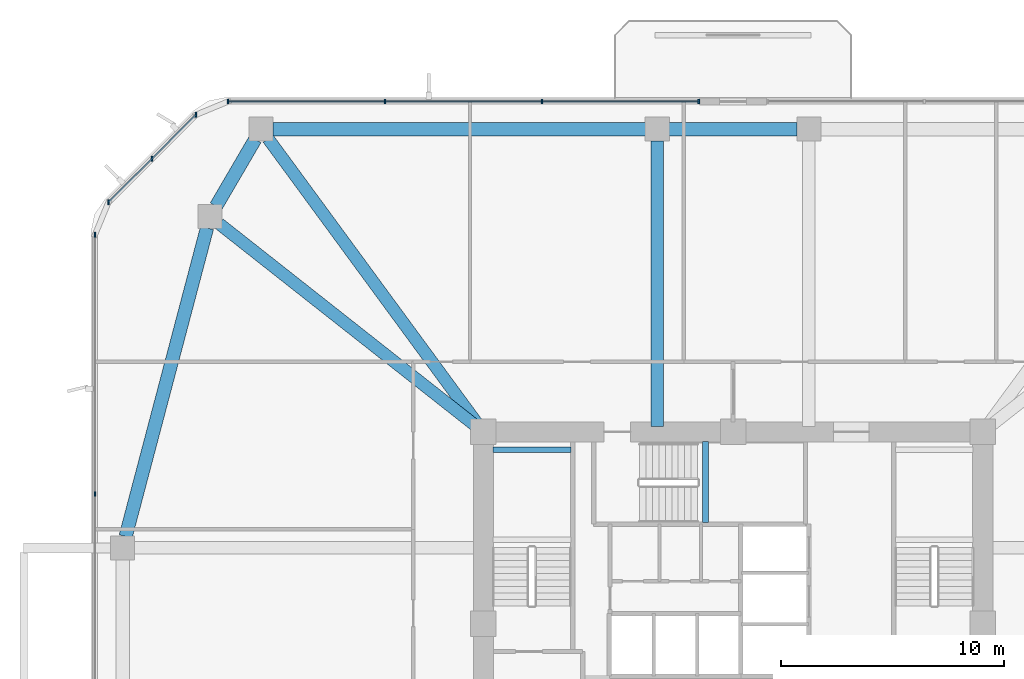
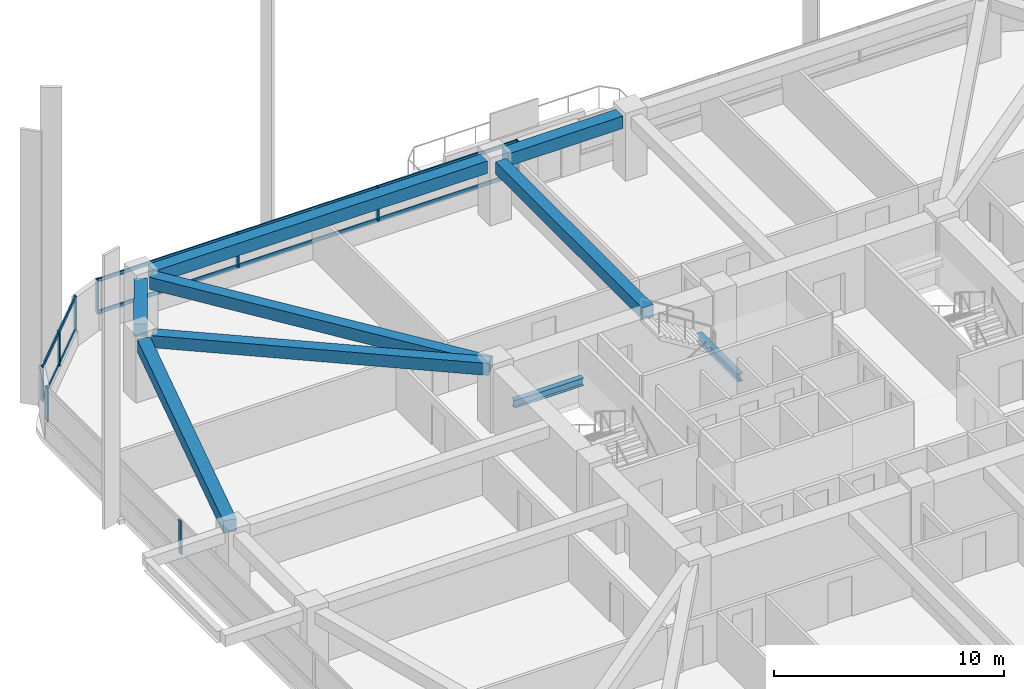
# One storey, part 6 of 17: 13 members, 9 beams, 3 elements without a shape of their own.
"""IFC4 building model written with IfcOpenShell, lengths in metres."""

from ifc_helpers import new_model, si_unit, derived_unit, direction, frame, origin, origin_2d, place, context, subcontext, project, spatial, rectangle, i_section, extrude, material, material_profile, profile_set, type_object, element, aggregate, save


model = new_model("IFC4")

# Units and contexts
model_context = context("Model", 3, precision=1e-05, world=origin(), true_north=direction((0.0, 1.0)))
body_context = subcontext(model_context, "Body", "Model", "MODEL_VIEW")
ifc_project = project(units=[si_unit("LENGTHUNIT", "METRE"), si_unit("AREAUNIT", "SQUARE_METRE"), si_unit("VOLUMEUNIT", "CUBIC_METRE"), si_unit("PLANEANGLEUNIT", "RADIAN"), si_unit("MASSUNIT", "GRAM", prefix="KILO"), derived_unit("THERMALTRANSMITTANCEUNIT", [(si_unit("POWERUNIT", "WATT"), 1), (si_unit("LENGTHUNIT", "METRE"), -2), (si_unit("THERMODYNAMICTEMPERATUREUNIT", "KELVIN"), -1)])], contexts=[model_context])

# Site, building, storey
site_placement = place(None, origin())
site = spatial("IfcSite", under=ifc_project, at=site_placement, CompositionType="ELEMENT")
building_placement = place(site_placement, origin())
building = spatial("IfcBuilding", under=site, at=building_placement, Name="Koralith Skygarden Medical Center", CompositionType="ELEMENT")
storey_placement = place(building_placement, frame((0.0, 0.0, 23.93994140625)))
storey = spatial("IfcBuildingStorey", under=building, at=storey_placement, Name="L05", CompositionType="ELEMENT", Elevation=23.93994140625)

# Curtain wall, members
ifc_material_1 = material(Name="Clear Laminated Glass", Category="glass")
curtain_wall_type = type_object("IfcCurtainWallType", Name="CW-2 Zone 1 Hurricane Unitised Curtain Wall", PredefinedType="NOTDEFINED", material=ifc_material_1)
curtain_wall_1_placement = place(storey_placement, origin())
curtain_wall_1 = element("IfcCurtainWall", 1, at=curtain_wall_1_placement, inside=storey, type_object=curtain_wall_type, Name="Curtain Wall CW-L05-N-R", PredefinedType="NOTDEFINED")
ifc_material_2 = material(Name="Aluminium 6063-T6", Category="aluminium")
ifc_material_profile_1 = material_profile(ifc_material_2, rectangle(XDim=0.071044921875, YDim=0.219970703125, at=origin_2d()), Name="MUL71X220")
ifc_profile_set_1 = profile_set([ifc_material_profile_1], Name="Aluminium 6063-T6")
member_type_1 = type_object("IfcMemberType", Name="CW-2 Extruded Mullion 71x220", PredefinedType="MULLION", material=ifc_profile_set_1)
member_1_placement = place(storey_placement, frame((35.4599609375, 49.320068359375, 0.85009765625), z_axis=(0.0, 0.0, 1.0), x_axis=(1.0, 0.0, 0.0)))
member_1 = element("IfcMember", 2, at=member_1_placement, type_object=member_type_1, Name="CW-L05-N-R Mullion 1", PredefinedType="MULLION", context=body_context, shape_type="SweptSolid", body=[
    extrude(rectangle(XDim=0.071044921875, YDim=0.219970703125, at=origin_2d()), origin(), (0.0, 0.0, 1.0), 1.800048828125),
])
member_2_placement = place(storey_placement, frame((28.425048828125, 49.320068359375, 0.85009765625), z_axis=(0.0, 0.0, 1.0), x_axis=(1.0, 0.0, 0.0)))
member_2 = element("IfcMember", 3, at=member_2_placement, type_object=member_type_1, Name="CW-L05-N-R Mullion 2", PredefinedType="MULLION", context=body_context, shape_type="SweptSolid", body=[
    extrude(rectangle(XDim=0.071044921875, YDim=0.219970703125, at=origin_2d()), origin(), (0.0, 0.0, 1.0), 1.800048828125),
])
member_3_placement = place(storey_placement, frame((21.389892578125, 49.320068359375, 0.85009765625), z_axis=(0.0, 0.0, 1.0), x_axis=(1.0, 0.0, 0.0)))
member_3 = element("IfcMember", 4, at=member_3_placement, type_object=member_type_1, Name="CW-L05-N-R Mullion 3", PredefinedType="MULLION", context=body_context, shape_type="SweptSolid", body=[
    extrude(rectangle(XDim=0.071044921875, YDim=0.219970703125, at=origin_2d()), origin(), (0.0, 0.0, 1.0), 1.800048828125),
])
member_4_placement = place(storey_placement, frame((14.35498046875, 49.320068359375, 0.85009765625), z_axis=(0.0, 0.0, 1.0), x_axis=(1.0, 0.0, 0.0)))
member_4 = element("IfcMember", 5, at=member_4_placement, type_object=member_type_1, Name="CW-L05-N-R Mullion 4", PredefinedType="MULLION", context=body_context, shape_type="SweptSolid", body=[
    extrude(rectangle(XDim=0.071044921875, YDim=0.219970703125, at=origin_2d()), origin(), (0.0, 0.0, 1.0), 1.800048828125),
])

curtain_wall_2_placement = place(storey_placement, origin())
curtain_wall_2 = element("IfcCurtainWall", 6, at=curtain_wall_2_placement, inside=storey, type_object=curtain_wall_type, Name="Curtain Wall CW-L05-NW", PredefinedType="NOTDEFINED")
member_5_placement = place(storey_placement, frame((12.904052734375, 48.718994140625, 0.85009765625), z_axis=(0.0, 0.0, 1.0), x_axis=(1.0, 0.0, 0.0)))
member_5 = element("IfcMember", 7, at=member_5_placement, type_object=member_type_1, Name="CW-L05-NW Mullion 1", PredefinedType="MULLION", context=body_context, shape_type="SweptSolid", body=[
    extrude(rectangle(XDim=0.071044921875, YDim=0.219970703125, at=origin_2d()), origin(), (0.0, 0.0, 1.0), 1.800048828125),
])
member_6_placement = place(storey_placement, frame((10.94189453125, 46.758056640625, 0.85009765625), z_axis=(0.0, 0.0, 1.0), x_axis=(1.0, 0.0, 0.0)))
member_6 = element("IfcMember", 8, at=member_6_placement, type_object=member_type_1, Name="CW-L05-NW Mullion 2", PredefinedType="MULLION", context=body_context, shape_type="SweptSolid", body=[
    extrude(rectangle(XDim=0.071044921875, YDim=0.219970703125, at=origin_2d()), origin(), (0.0, 0.0, 1.0), 1.800048828125),
])
member_7_placement = place(storey_placement, frame((8.98095703125, 44.7958984375, 0.85009765625), z_axis=(0.0, 0.0, 1.0), x_axis=(1.0, 0.0, 0.0)))
member_7 = element("IfcMember", 9, at=member_7_placement, type_object=member_type_1, Name="CW-L05-NW Mullion 3", PredefinedType="MULLION", context=body_context, shape_type="SweptSolid", body=[
    extrude(rectangle(XDim=0.071044921875, YDim=0.219970703125, at=origin_2d()), origin(), (0.0, 0.0, 1.0), 1.800048828125),
])

curtain_wall_3_placement = place(storey_placement, origin())
curtain_wall_3 = element("IfcCurtainWall", 10, at=curtain_wall_3_placement, inside=storey, type_object=curtain_wall_type, Name="Curtain Wall CW-L05-W", PredefinedType="NOTDEFINED")
member_8_placement = place(storey_placement, frame((8.3798828125, 43.344970703125, 0.85009765625), z_axis=(0.0, 0.0, 1.0), x_axis=(1.0, 0.0, 0.0)))
member_8 = element("IfcMember", 11, at=member_8_placement, type_object=member_type_1, Name="CW-L05-W Mullion 1", PredefinedType="MULLION", context=body_context, shape_type="SweptSolid", body=[
    extrude(rectangle(XDim=0.071044921875, YDim=0.219970703125, at=origin_2d()), origin(), (0.0, 0.0, 1.0), 1.800048828125),
])
member_9_placement = place(storey_placement, frame((8.3798828125, 31.715087890625, 0.85009765625), z_axis=(0.0, 0.0, 1.0), x_axis=(1.0, 0.0, 0.0)))
member_9 = element("IfcMember", 12, at=member_9_placement, type_object=member_type_1, Name="CW-L05-W Mullion 2", PredefinedType="MULLION", context=body_context, shape_type="SweptSolid", body=[
    extrude(rectangle(XDim=0.071044921875, YDim=0.219970703125, at=origin_2d()), origin(), (0.0, 0.0, 1.0), 1.800048828125),
])
aggregate(curtain_wall_3, [member_8, member_9])

# Member
ifc_material_profile_2 = material_profile(ifc_material_2, rectangle(XDim=0.06591796875, YDim=0.197998046875, at=origin_2d()), Name="TRN66X198")
ifc_profile_set_2 = profile_set([ifc_material_profile_2], Name="Aluminium 6063-T6")
member_type_2 = type_object("IfcMemberType", Name="CW-2 Thermal Transom 66x198", PredefinedType="USERDEFINED", material=ifc_profile_set_2)
member_10_placement = place(storey_placement, frame((35.4599609375, 49.320068359375, 0.900146484375), z_axis=(-1.0, 0.0, 0.0), x_axis=(0.0, -1.0, 0.0)))
member_10 = element("IfcMember", 13, at=member_10_placement, type_object=member_type_2, Name="CW-L05-N-R Transom 1", ObjectType="TRANSOM", PredefinedType="USERDEFINED", context=body_context, shape_type="SweptSolid", body=[
    extrude(rectangle(XDim=0.06591796875, YDim=0.197998046875, at=origin_2d()), origin(), (0.0, 0.0, 1.0), 21.10498046875),
])

member_11_placement = place(storey_placement, frame((35.4599609375, 49.320068359375, 2.60009765625), z_axis=(-1.0, 0.0, 0.0), x_axis=(0.0, -1.0, 0.0)))
member_11 = element("IfcMember", 14, at=member_11_placement, type_object=member_type_2, Name="CW-L05-N-R Transom 2", ObjectType="TRANSOM", PredefinedType="USERDEFINED", context=body_context, shape_type="SweptSolid", body=[
    extrude(rectangle(XDim=0.06591796875, YDim=0.197998046875, at=origin_2d()), origin(), (0.0, 0.0, 1.0), 21.10498046875),
])

aggregate(curtain_wall_1, [member_1, member_2, member_3, member_4, member_10, member_11])

member_12_placement = place(storey_placement, frame((12.904052734375, 48.718994140625, 0.900146484375), z_axis=(-0.707106781187, -0.707106781187, 0.0), x_axis=(0.707106781187, -0.707106781187, 0.0)))
member_12 = element("IfcMember", 15, at=member_12_placement, type_object=member_type_2, Name="CW-L05-NW Transom 1", ObjectType="TRANSOM", PredefinedType="USERDEFINED", context=body_context, shape_type="SweptSolid", body=[
    extrude(rectangle(XDim=0.06591796875, YDim=0.197998046875, at=origin_2d()), origin(), (0.0, 0.0, 1.0), 5.548095703125),
])

member_13_placement = place(storey_placement, frame((12.904052734375, 48.718994140625, 2.60009765625), z_axis=(-0.707106781187, -0.707106781187, 0.0), x_axis=(0.707106781187, -0.707106781187, 0.0)))
member_13 = element("IfcMember", 16, at=member_13_placement, type_object=member_type_2, Name="CW-L05-NW Transom 2", ObjectType="TRANSOM", PredefinedType="USERDEFINED", context=body_context, shape_type="SweptSolid", body=[
    extrude(rectangle(XDim=0.06591796875, YDim=0.197998046875, at=origin_2d()), origin(), (0.0, 0.0, 1.0), 5.548095703125),
])

aggregate(curtain_wall_2, [member_5, member_6, member_7, member_12, member_13])

# Beams
ifc_material_3 = material(Name="Steel ASTM A992 Grade 50", Category="steel")
ifc_material_profile_3 = material_profile(ifc_material_3, i_section(OverallWidth=0.260009765625, OverallDepth=0.4150390625, WebThickness=0.010009765625, FlangeThickness=0.016845703125, at=origin_2d()), Name="W16X67")
ifc_profile_set_3 = profile_set([ifc_material_profile_3], Name="Steel ASTM A992 Grade 50")
beam_type_1 = type_object("IfcBeamType", Name="Clinical Floor Joist W16X67", PredefinedType="JOIST", material=ifc_profile_set_3)
beam_1_placement = place(storey_placement, frame((26.22998046875, 33.699951171875, 1.39208984375), z_axis=(1.0, 0.0, 0.0), x_axis=(0.0, 1.0, 0.0)))
element("IfcBeam", 17, at=beam_1_placement, inside=storey, type_object=beam_type_1, Name="L05 Stair ST1 Half-Landing Support Beam 1B", PredefinedType="JOIST", context=body_context, shape_type="SweptSolid", body=[
    extrude(i_section(OverallWidth=0.260009765625, OverallDepth=0.4150390625, WebThickness=0.010009765625, FlangeThickness=0.016845703125, at=origin_2d()), origin(), (0.0, 0.0, 1.0), 3.489990234375),
])
beam_2_placement = place(storey_placement, frame((35.760009765625, 30.43994140625, 1.39208984375), z_axis=(0.0, 1.0, 0.0), x_axis=(-1.0, 0.0, 0.0)))
element("IfcBeam", 18, at=beam_2_placement, inside=storey, type_object=beam_type_1, Name="L05 Stair ST3 Half-Landing Support Beam 1A", PredefinedType="JOIST", context=body_context, shape_type="SweptSolid", body=[
    extrude(i_section(OverallWidth=0.260009765625, OverallDepth=0.4150390625, WebThickness=0.010009765625, FlangeThickness=0.016845703125, at=origin_2d()), origin(), (0.0, 0.0, 1.0), 3.630126953125),
])
ifc_material_4 = material(Name="Concrete C45/55", Category="concrete")
ifc_material_profile_4 = material_profile(ifc_material_4, rectangle(XDim=0.550048828125, YDim=0.639892578125, at=origin_2d()), Name="RCB550X640")
ifc_profile_set_4 = profile_set([ifc_material_profile_4], Name="Concrete C45/55")
beam_type_2 = type_object("IfcBeamType", Name="Radial Collector Beam RCB550X640", PredefinedType="BEAM", material=ifc_profile_set_4)
beam_3_placement = place(storey_placement, frame((33.60009765625, 34.75, 3.0), z_axis=(0.0, 1.0, 0.0), x_axis=(-1.0, 0.0, 0.0)))
element("IfcBeam", 19, at=beam_3_placement, inside=storey, type_object=beam_type_2, Name="L05 Radial Collector Beam RB-13", PredefinedType="BEAM", context=body_context, shape_type="SweptSolid", body=[
    extrude(rectangle(XDim=0.550048828125, YDim=0.639892578125, at=origin_2d()), origin(), (0.0, 0.0, 1.0), 12.800048828125),
])
beam_4_placement = place(storey_placement, frame((25.652099609375, 34.701904296875, 3.0), z_axis=(-0.591710803277, 0.806150311843, 0.0), x_axis=(-0.806150311843, -0.591710803277, 0.0)))
element("IfcBeam", 20, at=beam_4_placement, inside=storey, type_object=beam_type_2, Name="L05 Radial Collector Beam RB-14", PredefinedType="BEAM", context=body_context, shape_type="SweptSolid", body=[
    extrude(rectangle(XDim=0.550048828125, YDim=0.639892578125, at=origin_2d()), origin(), (0.0, 0.0, 1.0), 16.0654296875),
])
beam_5_placement = place(storey_placement, frame((25.60400390625, 34.655029296875, 3.0), z_axis=(-0.785497250365, 0.618865146594, 0.0), x_axis=(-0.618865146594, -0.785497250365, 0.0)))
element("IfcBeam", 21, at=beam_5_placement, inside=storey, type_object=beam_type_2, Name="L05 Radial Collector Beam RB-15", PredefinedType="BEAM", context=body_context, shape_type="SweptSolid", body=[
    extrude(rectangle(XDim=0.550048828125, YDim=0.639892578125, at=origin_2d()), origin(), (0.0, 0.0, 1.0), 14.828857421875),
])
ifc_material_profile_5 = material_profile(ifc_material_4, rectangle(XDim=0.60009765625, YDim=0.659912109375, at=origin_2d()), Name="RCB600X660")
ifc_profile_set_5 = profile_set([ifc_material_profile_5], Name="Concrete C45/55")
beam_type_3 = type_object("IfcBeamType", Name="Zone 1 Spandrel Beam RCB600X660", PredefinedType="SPANDREL", material=ifc_profile_set_5)
beam_6_placement = place(storey_placement, frame((39.8701171875, 48.080078125, 2.989990234375), z_axis=(-1.0, 0.0, 0.0), x_axis=(0.0, -1.0, 0.0)))
element("IfcBeam", 22, at=beam_6_placement, inside=storey, type_object=beam_type_3, Name="L05 Perimeter Spandrel Beam SP-12", PredefinedType="SPANDREL", context=body_context, shape_type="SweptSolid", body=[
    extrude(rectangle(XDim=0.60009765625, YDim=0.659912109375, at=origin_2d()), origin(), (0.0, 0.0, 1.0), 5.740234375),
])
beam_7_placement = place(storey_placement, frame((33.070068359375, 48.080078125, 2.989990234375), z_axis=(-1.0, 0.0, 0.0), x_axis=(0.0, -1.0, 0.0)))
element("IfcBeam", 23, at=beam_7_placement, inside=storey, type_object=beam_type_3, Name="L05 Perimeter Spandrel Beam SP-13", PredefinedType="SPANDREL", context=body_context, shape_type="SweptSolid", body=[
    extrude(rectangle(XDim=0.60009765625, YDim=0.659912109375, at=origin_2d()), origin(), (0.0, 0.0, 1.0), 16.7080078125),
])
beam_8_placement = place(storey_placement, frame((15.56396484375, 47.6220703125, 2.989990234375), z_axis=(-0.504608092658, -0.863348523381, 0.0), x_axis=(0.863348523381, -0.504608092658, 0.0)))
element("IfcBeam", 24, at=beam_8_placement, inside=storey, type_object=beam_type_3, Name="L05 Perimeter Spandrel Beam SP-14", PredefinedType="SPANDREL", context=body_context, shape_type="SweptSolid", body=[
    extrude(rectangle(XDim=0.60009765625, YDim=0.659912109375, at=origin_2d()), origin(), (0.0, 0.0, 1.0), 3.479736328125),
])
beam_9_placement = place(storey_placement, frame((13.405029296875, 43.64794921875, 2.989990234375), z_axis=(-0.255088684842, -0.966917660851, 0.0), x_axis=(0.966917660851, -0.255088684842, 0.0)))
element("IfcBeam", 25, at=beam_9_placement, inside=storey, type_object=beam_type_3, Name="L05 Perimeter Spandrel Beam SP-15", PredefinedType="SPANDREL", context=body_context, shape_type="SweptSolid", body=[
    extrude(rectangle(XDim=0.60009765625, YDim=0.659912109375, at=origin_2d()), origin(), (0.0, 0.0, 1.0), 14.309326171875),
])

save(model, "model.ifc")
